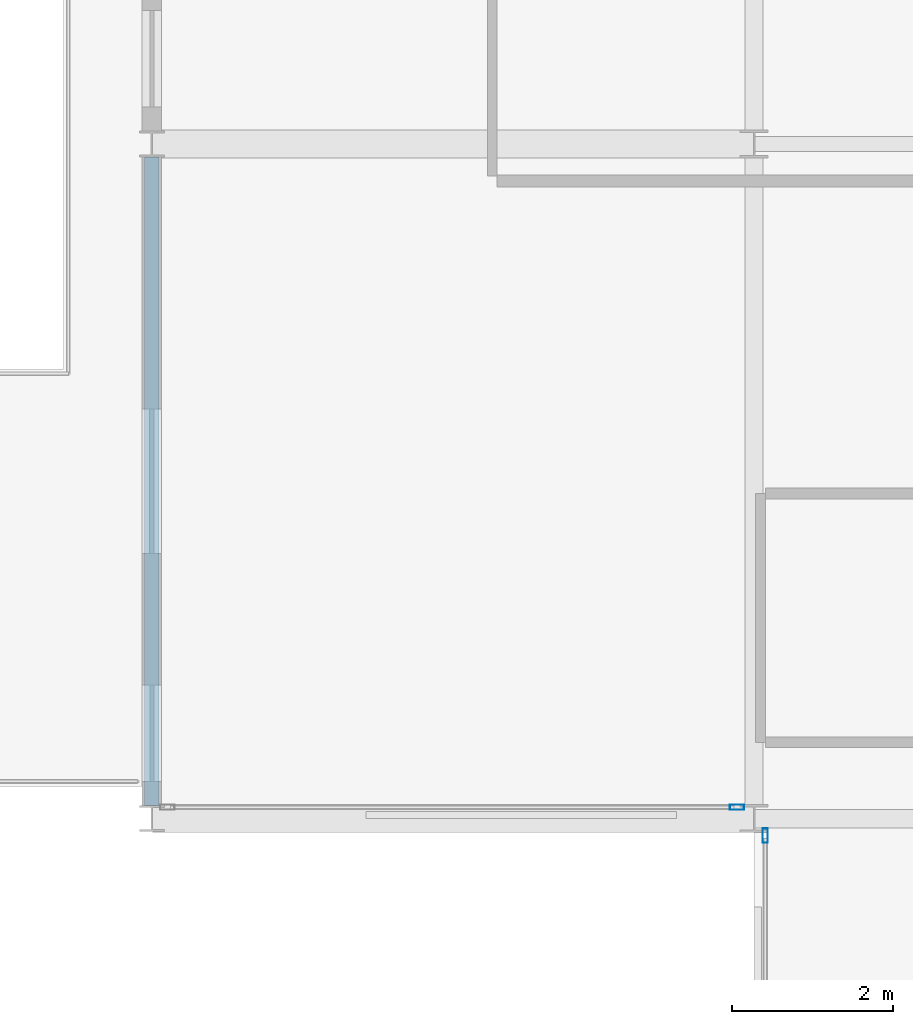
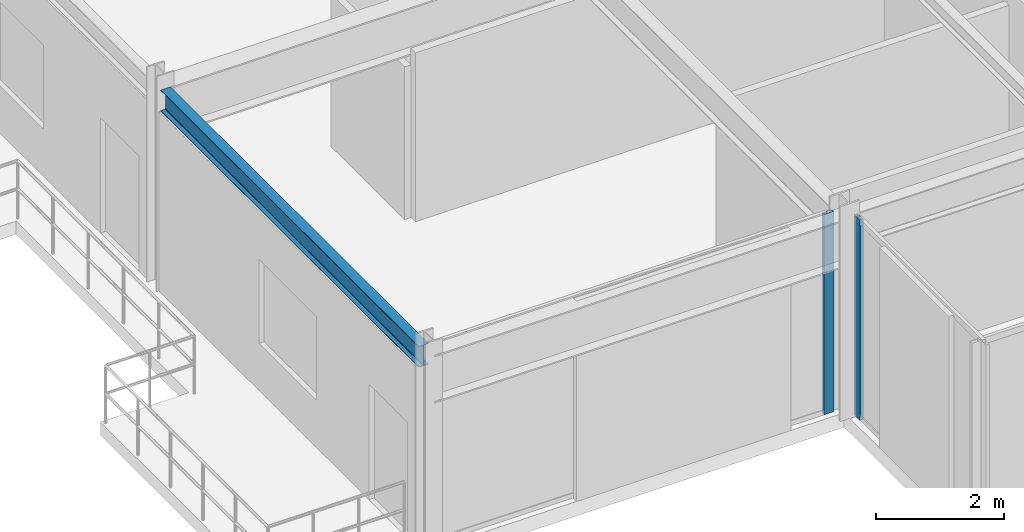
# One storey, part 4 of 29: 2 members, 1 beam, 2 elements without a shape of their own.
"""IFC4 building model written with IfcOpenShell, lengths in metres."""

import ifcopenshell
import ifcopenshell.guid

model = None  # the IFC model being written
_history = None  # IfcOwnerHistory: only IFC2X3 demands one
_inside = {}  # id of a spatial element -> (the spatial element, [elements in it])
_under = {}  # id of a project, library or spatial element -> (it, [spatial elements below it])
_declared = {}  # id of a project -> (the project, [libraries it declares])
_typed = {}  # id of a type object -> (the type object, [elements of that type])
_made_of = {}  # id of a material, layer set ... -> (it, [elements and type objects made of it])


def new_model(schema):
    """Start an empty IFC model of exactly this schema.

    Asked for "IFC4X3", IfcOpenShell would pick the latest addendum, in which some entities
    have other attributes; the version numbers below select the first issue.
    IFC2X3 requires an IfcOwnerHistory on every rooted entity: one is made here for all.
    """
    global model, _history
    if schema == "IFC4X3":
        model = ifcopenshell.file(schema_version=(4, 3, 0, 0))
    else:
        model = ifcopenshell.file(schema=schema)
    _inside.clear()
    _under.clear()
    _declared.clear()
    _typed.clear()
    _made_of.clear()
    _history = None
    if model.schema == "IFC2X3":
        org = make("IfcOrganization", Name="unknown")
        user = make(
            "IfcPersonAndOrganization",
            ThePerson=make("IfcPerson", FamilyName="unknown"),
            TheOrganization=org,
        )
        app = make(
            "IfcApplication",
            ApplicationDeveloper=org,
            Version="unknown",
            ApplicationFullName="unknown",
            ApplicationIdentifier="unknown",
        )
        _history = make(
            "IfcOwnerHistory",
            OwningUser=user,
            OwningApplication=app,
            ChangeAction="ADDED",
            CreationDate=0,
        )
    return model


def make(cls, **values):
    """One entity of the class cls with the attributes given. An attribute that is None is left unset."""
    return model.create_entity(
        cls, **{name: value for name, value in values.items() if value is not None}
    )


def rooted(cls, **values):
    """An entity with a GlobalId (a new one), such as an element, a storey or a relation."""
    return make(cls, GlobalId=ifcopenshell.guid.new(), OwnerHistory=_history, **values)


def si_unit(unit_type, name, prefix=None):
    """IfcSIUnit, for example si_unit("LENGTHUNIT", "METRE", prefix="MILLI")."""
    return make("IfcSIUnit", UnitType=unit_type, Prefix=prefix, Name=name)


def assignment(units):
    """IfcUnitAssignment: the units of a project."""
    return None if units is None else make("IfcUnitAssignment", Units=units)


def point(xyz):
    """IfcCartesianPoint."""
    return None if xyz is None else make("IfcCartesianPoint", Coordinates=xyz)


def direction(xyz):
    """IfcDirection."""
    return None if xyz is None else make("IfcDirection", DirectionRatios=xyz)


def frame(location, z_axis=None, x_axis=None):
    """IfcAxis2Placement3D, a coordinate frame: its origin and axes. An axis left out is left unset."""
    return make(
        "IfcAxis2Placement3D",
        Location=point(location),
        Axis=direction(z_axis),
        RefDirection=direction(x_axis),
    )


def frame_2d(location, x_axis=None):
    """IfcAxis2Placement2D, a coordinate frame in the plane: its origin and x axis."""
    return make(
        "IfcAxis2Placement2D", Location=point(location), RefDirection=direction(x_axis)
    )


def origin():
    """The frame at (0, 0, 0) with its axes left unset."""
    return frame((0.0, 0.0, 0.0))


def origin_2d():
    """The frame at (0, 0) in the plane with its x axis left unset."""
    return frame_2d((0.0, 0.0))


def place(relative_to, where):
    """IfcLocalPlacement: puts the frame where relative to a parent placement (None: the world)."""
    return make(
        "IfcLocalPlacement", PlacementRelTo=relative_to, RelativePlacement=where
    )


def context(
    kind, dimensions, precision=None, world=None, true_north=None, identifier=None
):
    """IfcGeometricRepresentationContext, for example the 3D "Model" context."""
    return make(
        "IfcGeometricRepresentationContext",
        ContextIdentifier=identifier,
        ContextType=kind,
        CoordinateSpaceDimension=dimensions,
        Precision=precision,
        WorldCoordinateSystem=world,
        TrueNorth=true_north,
    )


def subcontext(parent, identifier, kind, view, scale=None):
    """IfcGeometricRepresentationSubContext, for example "Body" below "Model"."""
    return make(
        "IfcGeometricRepresentationSubContext",
        ContextIdentifier=identifier,
        ContextType=kind,
        ParentContext=parent,
        TargetScale=scale,
        TargetView=view,
    )


def project(units=None, contexts=None):
    """IfcProject with its units and contexts."""
    return rooted(
        "IfcProject",
        Name="project",
        RepresentationContexts=contexts,
        UnitsInContext=assignment(units),
    )


def spatial(cls, under=None, at=None, **own):
    """A site, building, storey or space (cls), placed at a placement, below another one or the project."""
    s = rooted(cls, ObjectPlacement=at, **own)
    if under is not None:
        _under.setdefault(under.id(), (under, []))[1].append(s)
    return s


def profile(cls, at=None, kind="AREA", **sizes):
    """A parametric profile (cls). Its sizes go by their IFC names, for example OverallWidth=200.0."""
    return make(cls, ProfileType=kind, Position=at, **sizes)


def hollow_rectangle(**sizes):
    """IfcRectangleHollowProfileDef."""
    return profile("IfcRectangleHollowProfileDef", **sizes)


def i_section(**sizes):
    """IfcIShapeProfileDef."""
    return profile("IfcIShapeProfileDef", **sizes)


def extrude(swept, where, along, depth):
    """IfcExtrudedAreaSolid: the profile swept, set in the frame where, extruded along a direction by depth."""
    return make(
        "IfcExtrudedAreaSolid",
        SweptArea=swept,
        Position=where,
        ExtrudedDirection=direction(along),
        Depth=depth,
    )


def shape(context_of_items, identifier, shape_type, items):
    """IfcShapeRepresentation: the items that make up one representation, for example the "Body"."""
    return make(
        "IfcShapeRepresentation",
        ContextOfItems=context_of_items,
        RepresentationIdentifier=identifier,
        RepresentationType=shape_type,
        Items=items,
    )


def material(Name=None, Category=None):
    """IfcMaterial."""
    return make("IfcMaterial", Name=Name, Category=Category)


def layer(
    of_material, thickness, ventilated=None, Name=None, Category=None, Priority=None
):
    """IfcMaterialLayer: one layer of a wall or slab, of a material (None: an air gap)."""
    return make(
        "IfcMaterialLayer",
        Material=of_material,
        LayerThickness=thickness,
        IsVentilated=ventilated,
        Name=Name,
        Category=Category,
        Priority=Priority,
    )


def layer_set(layers, Name=None):
    """IfcMaterialLayerSet."""
    return make("IfcMaterialLayerSet", MaterialLayers=layers, LayerSetName=Name)


def material_profile(
    of_material, cross_section, Name=None, Category=None, Priority=None
):
    """IfcMaterialProfile: a cross section and its material."""
    return make(
        "IfcMaterialProfile",
        Name=Name,
        Material=of_material,
        Profile=cross_section,
        Priority=Priority,
        Category=Category,
    )


def profile_set(profiles, Name=None, composite=None):
    """IfcMaterialProfileSet."""
    return make(
        "IfcMaterialProfileSet",
        Name=Name,
        MaterialProfiles=profiles,
        CompositeProfile=composite,
    )


def made_of(thing, what):
    """Note that an element or type object is made of a material, layer set ...; save() writes the relation."""
    if what is not None:
        _made_of.setdefault(what.id(), (what, []))[1].append(thing)
    return thing


def type_object(cls, material=None, **own):
    """A type object (cls), such as IfcWallType, which elements share."""
    return made_of(rooted(cls, **own), material)


def element(
    cls,
    number,
    at=None,
    inside=None,
    cuts=None,
    type_object=None,
    material=None,
    context=None,
    identifier="Body",
    shape_type=None,
    held_by="IfcProductDefinitionShape",
    body=None,
    shapes=None,
    **own,
):
    """One element of the class cls, such as IfcWall. Its Tag is "e" and its number.

    at: its placement. inside: the storey or other place that contains it. cuts: it is an
    opening in that element (IfcRelVoidsElement). A single representation is given by context,
    identifier, shape_type and body (its items); several are given by shapes. held_by: the class
    of the entity that holds the representations. save() writes the other relations.
    """
    e = rooted(cls, Tag="e%d" % number, ObjectPlacement=at, **own)
    if body is not None:
        shapes = [shape(context, identifier, shape_type, body)]
    if shapes is not None:
        e.Representation = make(held_by, Representations=shapes)
    if inside is not None:
        _inside.setdefault(inside.id(), (inside, []))[1].append(e)
    if cuts is not None:
        rooted(
            "IfcRelVoidsElement", RelatingBuildingElement=cuts, RelatedOpeningElement=e
        )
    if type_object is not None:
        _typed.setdefault(type_object.id(), (type_object, []))[1].append(e)
    return made_of(e, material)


def aggregate(whole, parts):
    """IfcRelAggregates: a whole, such as a stair, and the parts it consists of."""
    return rooted("IfcRelAggregates", RelatingObject=whole, RelatedObjects=parts)


def save(model, path):
    """Write the relations noted so far, then the file.

    IfcRelAggregates (storeys below a building ...), IfcRelContainedInSpatialStructure (elements
    in a storey), IfcRelDefinesByType, IfcRelAssociatesMaterial and IfcRelDeclares: one each for
    every whole, place, type object, material and project.
    """
    for whole, parts in _under.values():
        aggregate(whole, parts)
    for where, things in _inside.values():
        rooted(
            "IfcRelContainedInSpatialStructure",
            RelatedElements=things,
            RelatingStructure=where,
        )
    for kind, things in _typed.values():
        rooted("IfcRelDefinesByType", RelatedObjects=things, RelatingType=kind)
    for what, things in _made_of.values():
        rooted("IfcRelAssociatesMaterial", RelatedObjects=things, RelatingMaterial=what)
    for by, libraries in _declared.values():
        rooted("IfcRelDeclares", RelatingContext=by, RelatedDefinitions=libraries)
    model.write(path)


model = new_model("IFC4")

# Units and contexts
model_context = context("Model", 3, precision=1e-05, world=origin(), true_north=direction((0.0, 1.0)))
body_context = subcontext(model_context, "Body", "Model", "MODEL_VIEW")
ifc_project = project(units=[si_unit("LENGTHUNIT", "METRE"), si_unit("AREAUNIT", "SQUARE_METRE"), si_unit("VOLUMEUNIT", "CUBIC_METRE"), si_unit("PLANEANGLEUNIT", "RADIAN"), si_unit("MASSUNIT", "GRAM", prefix="KILO")], contexts=[model_context])

# Site, building, storey
site_placement = place(None, origin())
site = spatial("IfcSite", under=ifc_project, at=site_placement, CompositionType="ELEMENT")
building_placement = place(site_placement, origin())
building = spatial("IfcBuilding", under=site, at=building_placement, Name="Nerrivon Quay Data Exchange", CompositionType="ELEMENT")
storey_placement = place(building_placement, frame((0.0, 0.0, 208.300048828125)))
storey = spatial("IfcBuildingStorey", under=building, at=storey_placement, Name="L49", CompositionType="ELEMENT", Elevation=208.300048828125)

# Beam
ifc_material_1 = material(Name="Steel Grade 350", Category="steel")
ifc_material_profile_1 = material_profile(ifc_material_1, i_section(OverallWidth=0.177978515625, OverallDepth=0.403076171875, WebThickness=0.007568359375, FlangeThickness=0.010986328125, FilletRadius=0.011474609375, at=origin_2d()), Name="410UB53.7")
ifc_profile_set_1 = profile_set([ifc_material_profile_1], Name="Steel Grade 350")
beam_type = type_object("IfcBeamType", Name="BM-SP2-410UB54", PredefinedType="SPANDREL", material=ifc_profile_set_1)
beam_placement = place(storey_placement, frame((-7.5, 8.5634765625, 3.62353515625), z_axis=(0.0, 1.0, 0.0), x_axis=(-1.0, 0.0, 0.0)))
element("IfcBeam", 1, at=beam_placement, inside=storey, type_object=beam_type, Name="L49 West Hooked Edge Spandrel", PredefinedType="SPANDREL", context=body_context, shape_type="SweptSolid", body=[
    extrude(i_section(OverallWidth=0.177978515625, OverallDepth=0.403076171875, WebThickness=0.007568359375, FlangeThickness=0.010986328125, FilletRadius=0.011474609375, at=origin_2d()), origin(), (0.0, 0.0, 1.0), 8.072998046875),
])

# Curtain wall, member
ifc_material_2 = material(Name="Anodised aluminium 6063-T6", Category="aluminium")
ifc_layer_1 = layer(ifc_material_2, 0.195068359375)
ifc_layer_set_1 = layer_set([ifc_layer_1], Name="Anodised aluminium 6063-T6")
curtain_wall_type_1 = type_object("IfcCurtainWallType", Name="CW-SYS-06", PredefinedType="NOTDEFINED", material=ifc_layer_set_1)
curtain_wall_1_placement = place(storey_placement, origin())
curtain_wall_1 = element("IfcCurtainWall", 2, at=curtain_wall_1_placement, inside=storey, type_object=curtain_wall_type_1, Name="L49 Unitised Curtain Wall 31", PredefinedType="NOTDEFINED")
ifc_material_profile_2 = material_profile(ifc_material_2, hollow_rectangle(XDim=0.06494140625, YDim=0.179931640625, WallThickness=0.00341796875, at=origin_2d()), Name="ALU-MULL-180x65")
ifc_profile_set_2 = profile_set([ifc_material_profile_2], Name="Anodised aluminium 6063-T6")
member_type = type_object("IfcMemberType", Name="CWM-180x65", PredefinedType="MULLION", material=ifc_profile_set_2)
member_1_placement = place(storey_placement, frame((0.139892578125, 8.1875, 0.0), z_axis=(0.0, 0.0, 1.0), x_axis=(-1.0, 0.0, 0.0)))
member_1 = element("IfcMember", 3, at=member_1_placement, type_object=member_type, Name="CW06 mullion 2", PredefinedType="MULLION", context=body_context, shape_type="SweptSolid", body=[
    extrude(hollow_rectangle(XDim=0.06494140625, YDim=0.179931640625, WallThickness=0.00341796875, at=origin_2d()), origin(), (0.0, 0.0, 1.0), 3.824951171875),
])
aggregate(curtain_wall_1, [member_1])

ifc_layer_2 = layer(ifc_material_2, 0.199951171875)
ifc_layer_set_2 = layer_set([ifc_layer_2], Name="Anodised aluminium 6063-T6")
curtain_wall_type_2 = type_object("IfcCurtainWallType", Name="CW-SYS-04", PredefinedType="NOTDEFINED", material=ifc_layer_set_2)
curtain_wall_2_placement = place(storey_placement, origin())
curtain_wall_2 = element("IfcCurtainWall", 4, at=curtain_wall_2_placement, inside=storey, type_object=curtain_wall_type_2, Name="L49 Unitised Curtain Wall 32", PredefinedType="NOTDEFINED")
member_2_placement = place(storey_placement, frame((-0.21240234375, 8.5400390625, 0.0), z_axis=(0.0, 0.0, 1.0), x_axis=(0.0, -1.0, 0.0)))
member_2 = element("IfcMember", 5, at=member_2_placement, type_object=member_type, Name="CW04 mullion 1", PredefinedType="MULLION", context=body_context, shape_type="SweptSolid", body=[
    extrude(hollow_rectangle(XDim=0.06494140625, YDim=0.179931640625, WallThickness=0.00341796875, at=origin_2d()), origin(), (0.0, 0.0, 1.0), 3.824951171875),
])
aggregate(curtain_wall_2, [member_2])

save(model, "model.ifc")
